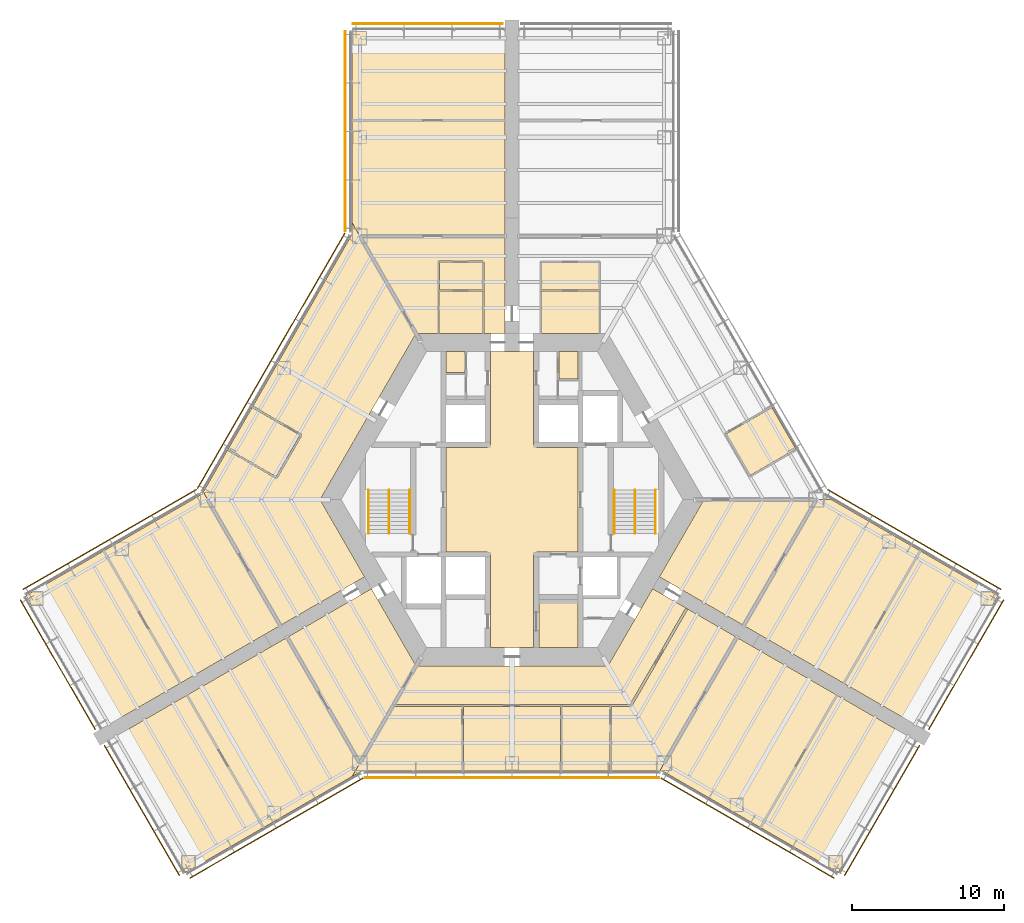
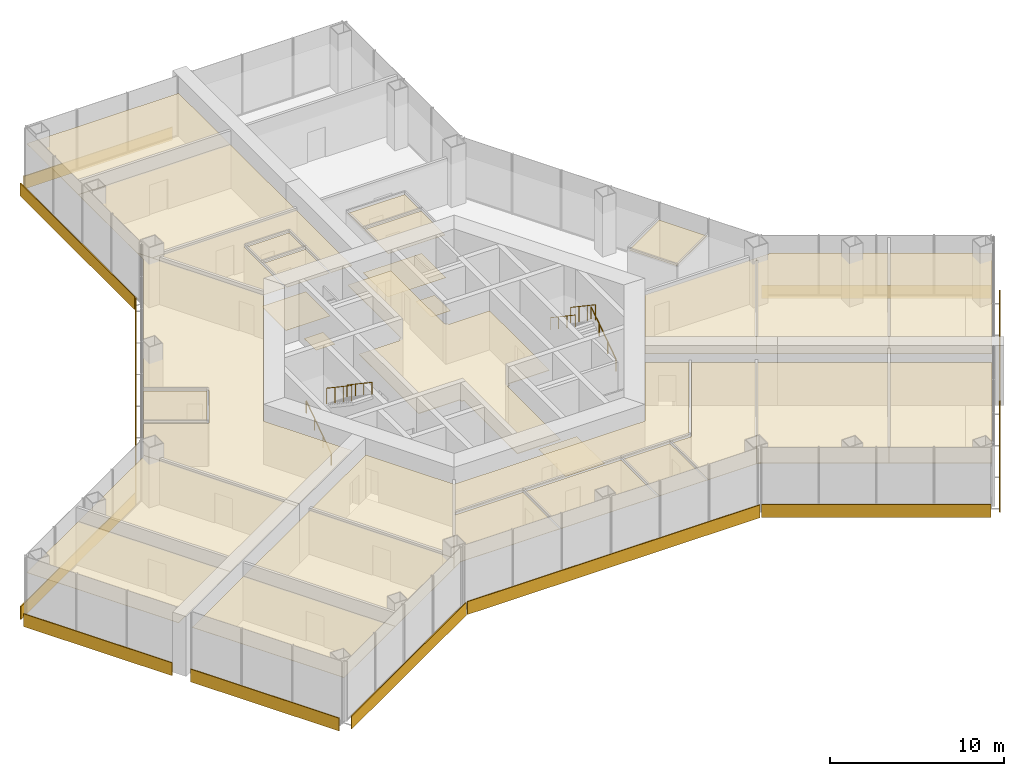
# One storey, part 15 of 16: 31 coverings, 12 shading devices, 6 railings.
"""IFC4 building model written with IfcOpenShell, lengths in metres."""

from ifc_helpers import new_model, si_unit, direction, frame, origin, origin_2d, place, context, subcontext, project, spatial, polyline, rectangle, circle, outline, extrude, material, layer, layer_set, type_object, element, save


model = new_model("IFC4")

# Units and contexts
model_context = context("Model", 3, precision=1e-05, world=origin(), true_north=direction((0.0, 1.0)))
body_context = subcontext(model_context, "Body", "Model", "MODEL_VIEW")
ifc_project = project(units=[si_unit("LENGTHUNIT", "METRE"), si_unit("AREAUNIT", "SQUARE_METRE"), si_unit("VOLUMEUNIT", "CUBIC_METRE"), si_unit("PLANEANGLEUNIT", "RADIAN"), si_unit("MASSUNIT", "GRAM", prefix="KILO")], contexts=[model_context])

# Site, building, storey
site_placement = place(None, origin())
site = spatial("IfcSite", under=ifc_project, at=site_placement, CompositionType="ELEMENT")
building_placement = place(site_placement, origin())
building = spatial("IfcBuilding", under=site, at=building_placement, Name="Kasaneha Research Tower", CompositionType="ELEMENT")
storey_placement = place(building_placement, frame((0.0, 0.0, 26.800048828125)))
storey = spatial("IfcBuildingStorey", under=building, at=storey_placement, Name="L07", CompositionType="ELEMENT", Elevation=26.800048828125)

# Coverings
ifc_material_1 = material(Name="Washable coated ceiling board", Category="gypsum")
ifc_layer_1 = layer(ifc_material_1, 0.02490234375)
ifc_layer_set_1 = layer_set([ifc_layer_1], Name="Laboratory ceiling 25")
covering_type_1 = type_object("IfcCoveringType", Name="Laboratory ceiling 25", PredefinedType="CEILING", material=ifc_layer_set_1)
covering_1_placement = place(storey_placement, frame((0.0, 0.0, 3.0)))
element("IfcCovering", 1, at=covering_1_placement, inside=storey, type_object=covering_type_1, Name="Ceiling L07-28", PredefinedType="CEILING", context=body_context, shape_type="SweptSolid", body=[
    extrude(outline(polyline([(1.949951171875, 10.925048828125), (1.949951171875, 13.675048828125), (5.70703125, 13.675048828125), (5.70703125, 10.925048828125), (1.949951171875, 10.925048828125)])), origin(), (0.0, 0.0, 1.0), 0.02490234375),
])
covering_2_placement = place(storey_placement, frame((0.0, 0.0, 3.0)))
element("IfcCovering", 2, at=covering_2_placement, inside=storey, type_object=covering_type_1, Name="Ceiling L07-29", PredefinedType="CEILING", context=body_context, shape_type="SweptSolid", body=[
    extrude(outline(polyline([(1.949951171875, 15.574951171875), (5.70703125, 15.574951171875), (5.70703125, 13.77490234375), (1.949951171875, 13.77490234375), (1.949951171875, 15.574951171875)])), origin(), (0.0, 0.0, 1.0), 0.02490234375),
])
covering_3_placement = place(storey_placement, frame((0.0, 0.0, 3.0)))
element("IfcCovering", 3, at=covering_3_placement, inside=storey, type_object=covering_type_1, Name="Ceiling L07-30", PredefinedType="CEILING", context=body_context, shape_type="SweptSolid", body=[
    extrude(outline(polyline([(18.679443359375, 3.287353515625), (18.662109375, 3.27734375), (18.63720703125, 3.320556640625), (15.66650390625, 1.605712890625), (14.093505859375, 4.33056640625), (17.072509765625, 6.050537109375), (17.047607421875, 6.09375), (17.05615234375, 6.098876953125), (18.679443359375, 3.287353515625)])), origin(), (0.0, 0.0, 1.0), 0.02490234375),
])
covering_4_placement = place(storey_placement, frame((0.0, 0.0, 3.0)))
element("IfcCovering", 4, at=covering_4_placement, inside=storey, type_object=covering_type_1, Name="Ceiling L07-34", PredefinedType="CEILING", context=body_context, shape_type="SweptSolid", body=[
    extrude(outline(polyline([(-4.778564453125, 10.925048828125), (-4.778564453125, 13.675048828125), (-1.949951171875, 13.675048828125), (-1.949951171875, 10.925048828125), (-4.778564453125, 10.925048828125)])), origin(), (0.0, 0.0, 1.0), 0.02490234375),
])
covering_5_placement = place(storey_placement, frame((0.0, 0.0, 3.0)))
element("IfcCovering", 5, at=covering_5_placement, inside=storey, type_object=covering_type_1, Name="Ceiling L07-35", PredefinedType="CEILING", context=body_context, shape_type="SweptSolid", body=[
    extrude(outline(polyline([(-4.778564453125, 15.574951171875), (-1.949951171875, 15.574951171875), (-1.949951171875, 13.77490234375), (-4.778564453125, 13.77490234375), (-4.778564453125, 15.574951171875)])), origin(), (0.0, 0.0, 1.0), 0.02490234375),
])
covering_6_placement = place(storey_placement, frame((0.0, 0.0, 3.0)))
element("IfcCovering", 6, at=covering_6_placement, inside=storey, type_object=covering_type_1, Name="Ceiling L07-36", PredefinedType="CEILING", context=body_context, shape_type="SweptSolid", body=[
    extrude(outline(polyline([(-1.85009765625, 10.925048828125), (-1.85009765625, 15.625), (-1.8994140625, 15.625), (-1.8994140625, 15.625), (-1.8994140625, 15.625), (-1.8994140625, 15.625244140625), (-1.899658203125, 15.625244140625), (-1.899658203125, 15.625244140625), (-1.899658203125, 15.625244140625), (-1.899658203125, 15.625244140625), (-1.899658203125, 15.625244140625), (-1.899658203125, 15.62548828125), (-1.899658203125, 15.62548828125), (-1.899658203125, 15.62548828125), (-1.89990234375, 15.62548828125), (-1.89990234375, 15.62548828125), (-1.89990234375, 15.62548828125), (-1.89990234375, 15.62548828125), (-1.89990234375, 15.62548828125), (-1.89990234375, 15.675048828125), (-4.82861328125, 15.675048828125), (-4.82861328125, 15.62548828125), (-4.82861328125, 15.62548828125), (-4.82861328125, 15.62548828125), (-4.82861328125, 15.62548828125), (-4.828857421875, 15.62548828125), (-4.828857421875, 15.62548828125), (-4.828857421875, 15.62548828125), (-4.828857421875, 15.62548828125), (-4.828857421875, 15.625244140625), (-4.828857421875, 15.625244140625), (-4.8291015625, 15.625244140625), (-4.8291015625, 15.625244140625), (-4.8291015625, 15.625244140625), (-4.8291015625, 15.625244140625), (-4.8291015625, 15.625), (-4.8291015625, 15.625), (-4.8291015625, 15.625), (-4.878662109375, 15.625), (-4.878662109375, 10.925048828125), (-6.3076171875, 10.925048828125), (-10.0, 17.320556640625), (-0.449951171875, 17.320556640625), (-0.449951171875, 12.72509765625), (-0.449951171875, 11.72509765625), (-0.449951171875, 10.925048828125), (-1.85009765625, 10.925048828125)])), origin(), (0.0, 0.0, 1.0), 0.02490234375),
])
covering_7_placement = place(storey_placement, frame((0.0, 0.0, 3.0)))
element("IfcCovering", 7, at=covering_7_placement, inside=storey, type_object=covering_type_1, Name="Ceiling L07-37", PredefinedType="CEILING", context=body_context, shape_type="SweptSolid", body=[
    extrude(outline(polyline([(-10.5, 24.92041015625), (-0.449951171875, 24.92041015625), (-0.449951171875, 17.320556640625), (-10.0, 17.320556640625), (-10.5, 18.1865234375), (-10.5, 24.92041015625)])), origin(), (0.0, 0.0, 1.0), 0.02490234375),
])
covering_8_placement = place(storey_placement, frame((0.0, 0.0, 3.0)))
element("IfcCovering", 8, at=covering_8_placement, inside=storey, type_object=covering_type_1, Name="Ceiling L07-38", PredefinedType="CEILING", context=body_context, shape_type="SweptSolid", body=[
    extrude(outline(polyline([(-0.449951171875, 30.820556640625), (-0.449951171875, 24.92041015625), (-10.5, 24.92041015625), (-10.5, 30.820556640625), (-0.449951171875, 30.820556640625)])), origin(), (0.0, 0.0, 1.0), 0.02490234375),
])
covering_9_placement = place(storey_placement, frame((0.0, 0.0, 3.0)))
element("IfcCovering", 9, at=covering_9_placement, inside=storey, type_object=covering_type_1, Name="Ceiling L07-39", PredefinedType="CEILING", context=body_context, shape_type="SweptSolid", body=[
    extrude(outline(polyline([(-17.05615234375, 6.098876953125), (-17.047607421875, 6.09375), (-17.072509765625, 6.050537109375), (-13.920166015625, 4.23046875), (-15.493408203125, 1.505615234375), (-18.63720703125, 3.320556640625), (-18.662109375, 3.27734375), (-18.679443359375, 3.287353515625), (-17.05615234375, 6.098876953125)])), origin(), (0.0, 0.0, 1.0), 0.02490234375),
])
covering_10_placement = place(storey_placement, frame((0.0, 0.0, 3.0)))
element("IfcCovering", 10, at=covering_10_placement, inside=storey, type_object=covering_type_1, Name="Ceiling L07-40", PredefinedType="CEILING", context=body_context, shape_type="SweptSolid", body=[
    extrude(outline(polyline([(-9.686279296875, -5.07275390625), (-15.22509765625, -8.2705078125), (-20.28857421875, 0.5), (-18.6796875, 3.286865234375), (-18.662353515625, 3.27685546875), (-18.68701171875, 3.23388671875), (-15.5, 1.39404296875), (-15.475341796875, 1.43701171875), (-15.474853515625, 1.436767578125), (-15.474853515625, 1.43701171875), (-15.431884765625, 1.412353515625), (-13.80859375, 4.223876953125), (-13.851806640625, 4.248779296875), (-13.826904296875, 4.2919921875), (-17.022705078125, 6.13720703125), (-17.04736328125, 6.09423828125), (-17.055908203125, 6.09912109375), (-10.5, 17.45458984375), (-10.5, 18.1865234375), (-6.3076171875, 10.925048828125), (-12.614990234375, 0.0), (-9.686279296875, -5.07275390625)])), origin(), (0.0, 0.0, 1.0), 0.02490234375),
])
covering_11_placement = place(storey_placement, frame((0.0, 0.0, 3.0)))
element("IfcCovering", 11, at=covering_11_placement, inside=storey, type_object=covering_type_1, Name="Ceiling L07-41", PredefinedType="CEILING", context=body_context, shape_type="SweptSolid", body=[
    extrude(outline(polyline([(-26.831787109375, -3.366943359375), (-20.365966796875, 0.365966796875), (-20.28857421875, 0.5), (-15.22509765625, -8.2705078125), (-21.806884765625, -12.070556640625), (-26.831787109375, -3.366943359375)])), origin(), (0.0, 0.0, 1.0), 0.02490234375),
])
covering_12_placement = place(storey_placement, frame((0.0, 0.0, 3.0)))
element("IfcCovering", 12, at=covering_12_placement, inside=storey, type_object=covering_type_1, Name="Ceiling L07-42", PredefinedType="CEILING", context=body_context, shape_type="SweptSolid", body=[
    extrude(outline(polyline([(-31.94140625, -6.31689453125), (-26.831787109375, -3.366943359375), (-21.806884765625, -12.070556640625), (-26.916259765625, -15.0205078125), (-31.94140625, -6.31689453125)])), origin(), (0.0, 0.0, 1.0), 0.02490234375),
])
covering_13_placement = place(storey_placement, frame((0.0, 0.0, 3.0)))
element("IfcCovering", 13, at=covering_13_placement, inside=storey, type_object=covering_type_1, Name="Ceiling L07-43", PredefinedType="CEILING", context=body_context, shape_type="SweptSolid", body=[
    extrude(outline(polyline([(-9.236328125, -5.852294921875), (-6.3076171875, -10.925048828125), (-7.765380859375, -13.449951171875), (-7.78564453125, -13.449951171875), (-7.78564453125, -13.485107421875), (-10.0, -17.320556640625), (-14.77490234375, -9.050048828125), (-9.92919921875, -6.252197265625), (-9.92919921875, -6.252197265625), (-9.236328125, -5.852294921875)])), origin(), (0.0, 0.0, 1.0), 0.02490234375),
])
covering_14_placement = place(storey_placement, frame((0.0, 0.0, 3.0)))
element("IfcCovering", 14, at=covering_14_placement, inside=storey, type_object=covering_type_1, Name="Ceiling L07-44", PredefinedType="CEILING", context=body_context, shape_type="SweptSolid", body=[
    extrude(outline(polyline([(-21.44140625, -24.50341796875), (-26.46630859375, -15.800048828125), (-21.356689453125, -12.849853515625), (-16.331787109375, -21.553466796875), (-21.44140625, -24.50341796875)])), origin(), (0.0, 0.0, 1.0), 0.02490234375),
])
covering_15_placement = place(storey_placement, frame((0.0, 0.0, 3.0)))
element("IfcCovering", 15, at=covering_15_placement, inside=storey, type_object=covering_type_1, Name="Ceiling L07-45", PredefinedType="CEILING", context=body_context, shape_type="SweptSolid", body=[
    extrude(outline(polyline([(-10.5, -18.1865234375), (-16.331787109375, -21.553466796875), (-21.356689453125, -12.849853515625), (-14.77490234375, -9.050048828125), (-10.0, -17.320556640625), (-10.5, -18.1865234375)])), origin(), (0.0, 0.0, 1.0), 0.02490234375),
])
covering_16_placement = place(storey_placement, frame((0.0, 0.0, 3.0)))
element("IfcCovering", 16, at=covering_16_placement, inside=storey, type_object=covering_type_1, Name="Ceiling L07-46", PredefinedType="CEILING", context=body_context, shape_type="SweptSolid", body=[
    extrude(outline(polyline([(11.2451171875, -5.972900390625), (10.379150390625, -5.472900390625), (9.686279296875, -5.07275390625), (12.614990234375, 0.0), (20.0, 0.0), (15.22509765625, -8.2705078125), (14.55810546875, -7.885498046875), (11.2451171875, -5.972900390625)])), origin(), (0.0, 0.0, 1.0), 0.02490234375),
])
covering_17_placement = place(storey_placement, frame((0.0, 0.0, 3.0)))
element("IfcCovering", 17, at=covering_17_placement, inside=storey, type_object=covering_type_1, Name="Ceiling L07-47", PredefinedType="CEILING", context=body_context, shape_type="SweptSolid", body=[
    extrude(outline(polyline([(26.831787109375, -3.366943359375), (31.94140625, -6.31689453125), (26.916259765625, -15.0205078125), (21.806884765625, -12.070556640625), (26.831787109375, -3.366943359375)])), origin(), (0.0, 0.0, 1.0), 0.02490234375),
])
covering_18_placement = place(storey_placement, frame((0.0, 0.0, 3.0)))
element("IfcCovering", 18, at=covering_18_placement, inside=storey, type_object=covering_type_1, Name="Ceiling L07-48", PredefinedType="CEILING", context=body_context, shape_type="SweptSolid", body=[
    extrude(outline(polyline([(20.0, 0.0), (21.0, 0.0), (26.831787109375, -3.366943359375), (21.806884765625, -12.070556640625), (15.22509765625, -8.2705078125), (20.0, 0.0)])), origin(), (0.0, 0.0, 1.0), 0.02490234375),
])
covering_19_placement = place(storey_placement, frame((0.0, 0.0, 3.0)))
element("IfcCovering", 19, at=covering_19_placement, inside=storey, type_object=covering_type_1, Name="Ceiling L07-49", PredefinedType="CEILING", context=body_context, shape_type="SweptSolid", body=[
    extrude(outline(polyline([(-6.3076171875, -10.925048828125), (6.3076171875, -10.925048828125), (9.236328125, -5.852294921875), (11.488037109375, -7.152099609375), (11.47802734375, -7.16943359375), (11.4130859375, -7.132080078125), (7.765380859375, -13.449951171875), (6.497802734375, -13.449951171875), (6.48828125, -13.449951171875), (3.2509765625, -13.449951171875), (3.241455078125, -13.449951171875), (-3.241455078125, -13.449951171875), (-3.2509765625, -13.449951171875), (-7.765380859375, -13.449951171875), (-6.3076171875, -10.925048828125)])), origin(), (0.0, 0.0, 1.0), 0.02490234375),
])
covering_20_placement = place(storey_placement, frame((0.0, 0.0, 3.0)))
element("IfcCovering", 20, at=covering_20_placement, inside=storey, type_object=covering_type_1, Name="Ceiling L07-50", PredefinedType="CEILING", context=body_context, shape_type="SweptSolid", body=[
    extrude(outline(polyline([(-10.50048828125, -18.1865234375), (-7.80908203125, -13.52490234375), (-7.78564453125, -13.52490234375), (-7.78564453125, -13.60009765625), (-3.30078125, -13.60009765625), (-3.29638671875, -17.800537109375), (-3.246337890625, -17.800537109375), (-3.246337890625, -17.820556640625), (-9.865966796875, -17.821044921875), (-10.50048828125, -18.1865234375)])), origin(), (0.0, 0.0, 1.0), 0.02490234375),
])
covering_21_placement = place(storey_placement, frame((0.0, 0.0, 3.0)))
element("IfcCovering", 21, at=covering_21_placement, inside=storey, type_object=covering_type_1, Name="Ceiling L07-51", PredefinedType="CEILING", context=body_context, shape_type="SweptSolid", body=[
    extrude(outline(polyline([(3.246337890625, -17.800537109375), (3.29638671875, -17.800537109375), (3.30078125, -13.60009765625), (6.4384765625, -13.60009765625), (6.44287109375, -17.800537109375), (6.492919921875, -17.800537109375), (6.492919921875, -17.820556640625), (3.246337890625, -17.820556640625), (3.246337890625, -17.800537109375)])), origin(), (0.0, 0.0, 1.0), 0.02490234375),
])
covering_22_placement = place(storey_placement, frame((0.0, 0.0, 3.0)))
element("IfcCovering", 22, at=covering_22_placement, inside=storey, type_object=covering_type_1, Name="Ceiling L07-52", PredefinedType="CEILING", context=body_context, shape_type="SweptSolid", body=[
    extrude(outline(polyline([(7.80908203125, -13.525390625), (7.80908203125, -13.525146484375), (7.87353515625, -13.5625), (11.54296875, -7.20703125), (11.478515625, -7.169677734375), (11.488525390625, -7.15234375), (12.860107421875, -7.9443359375), (14.77490234375, -9.050048828125), (9.71142578125, -17.820556640625), (6.493408203125, -17.820556640625), (6.493408203125, -17.800537109375), (6.542724609375, -17.800537109375), (6.538330078125, -13.60009765625), (7.80859375, -13.60009765625), (7.80859375, -13.525390625), (7.80908203125, -13.525390625)])), origin(), (0.0, 0.0, 1.0), 0.02490234375),
])
covering_23_placement = place(storey_placement, frame((0.0, 0.0, 3.0)))
element("IfcCovering", 23, at=covering_23_placement, inside=storey, type_object=covering_type_1, Name="Ceiling L07-53", PredefinedType="CEILING", context=body_context, shape_type="SweptSolid", body=[
    extrude(outline(polyline([(3.245849609375, -17.820556640625), (-3.245849609375, -17.820556640625), (-3.245849609375, -17.800537109375), (-3.1962890625, -17.800537109375), (-3.200927734375, -13.60009765625), (3.200927734375, -13.60009765625), (3.1962890625, -17.800537109375), (3.245849609375, -17.800537109375), (3.245849609375, -17.820556640625)])), origin(), (0.0, 0.0, 1.0), 0.02490234375),
])
covering_24_placement = place(storey_placement, frame((0.0, 0.0, 3.0)))
element("IfcCovering", 24, at=covering_24_placement, inside=storey, type_object=covering_type_1, Name="Ceiling L07-54", PredefinedType="CEILING", context=body_context, shape_type="SweptSolid", body=[
    extrude(outline(polyline([(14.77490234375, -9.050048828125), (21.356689453125, -12.849853515625), (16.331787109375, -21.553466796875), (9.865966796875, -17.820556640625), (9.71142578125, -17.820556640625), (14.77490234375, -9.050048828125)])), origin(), (0.0, 0.0, 1.0), 0.02490234375),
])
covering_25_placement = place(storey_placement, frame((0.0, 0.0, 3.0)))
element("IfcCovering", 25, at=covering_25_placement, inside=storey, type_object=covering_type_1, Name="Ceiling L07-55", PredefinedType="CEILING", context=body_context, shape_type="SweptSolid", body=[
    extrude(outline(polyline([(21.44140625, -24.50341796875), (16.331787109375, -21.553466796875), (21.356689453125, -12.849853515625), (26.46630859375, -15.800048828125), (21.44140625, -24.50341796875)])), origin(), (0.0, 0.0, 1.0), 0.02490234375),
])
ifc_material_2 = material(Name="Aluminium panel ceiling", Category="aluminium")
ifc_layer_2 = layer(ifc_material_2, 0.0400390625)
ifc_layer_set_2 = layer_set([ifc_layer_2], Name="Lift lobby ceiling 40")
covering_type_2 = type_object("IfcCoveringType", Name="Lift lobby ceiling 40", PredefinedType="CEILING", material=ifc_layer_set_2)
covering_26_placement = place(storey_placement, frame((0.0, 0.0, 2.699951171875)))
element("IfcCovering", 26, at=covering_26_placement, inside=storey, type_object=covering_type_2, Name="Ceiling L07-01", PredefinedType="CEILING", context=body_context, shape_type="SweptSolid", body=[
    extrude(outline(polyline([(1.425048828125, 9.72509765625), (1.425048828125, 3.60009765625), (1.60009765625, 3.60009765625), (1.60009765625, 3.425048828125), (4.324951171875, 3.425048828125), (4.324951171875, -3.425048828125), (1.60009765625, -3.425048828125), (1.60009765625, -3.60009765625), (1.425048828125, -3.60009765625), (1.425048828125, -9.72509765625), (-1.425048828125, -9.72509765625), (-1.425048828125, -3.60009765625), (-1.60009765625, -3.60009765625), (-1.60009765625, -3.425048828125), (-4.324951171875, -3.425048828125), (-4.324951171875, 3.425048828125), (-1.60009765625, 3.425048828125), (-1.60009765625, 3.60009765625), (-1.425048828125, 3.60009765625), (-1.425048828125, 9.72509765625), (1.425048828125, 9.72509765625)])), origin(), (0.0, 0.0, 1.0), 0.0400390625),
])

# Railings
ifc_material_3 = material(Name="Steel", Category="steel")
railing_type_1 = type_object("IfcRailingType", Name="Stair balustrade 1100", PredefinedType="GUARDRAIL", material=ifc_material_3)
for number, where, name in (
    (27, (8.074951171875, 0.635009765625, 2.27490234375), "Stair 1 balustrade L07"),
    (28, (-8.074951171875, 0.635009765625, 2.27490234375), "Stair 2 balustrade L07"),
):
    element("IfcRailing", number, at=place(storey_placement, frame(where)), inside=storey, type_object=railing_type_1, Name=name, PredefinedType="GUARDRAIL", context=body_context, shape_type="SweptSolid", body=[
        extrude(circle(Radius=0.02392578125, at=origin_2d()), frame((0.0, 0.0, 1.076171875), z_axis=(0.0, -0.829590901723, 0.558371682465), x_axis=(1.0, 0.0, 0.0)), (0.0, 0.0, 1.0), 3.447509765625),
        extrude(circle(Radius=0.02099609375, at=origin_2d()), origin(), (0.0, 0.0, 1.0), 1.052001953125),
        extrude(circle(Radius=0.02099609375, at=origin_2d()), frame((0.0, -0.953369140625, 0.6416015625)), (0.0, 0.0, 1.0), 1.052001953125),
        extrude(circle(Radius=0.02099609375, at=origin_2d()), frame((0.0, -1.90673828125, 1.283447265625)), (0.0, 0.0, 1.0), 1.052001953125),
        extrude(circle(Radius=0.02099609375, at=origin_2d()), frame((0.0, -2.860107421875, 1.925048828125)), (0.0, 0.0, 1.0), 1.052001953125),
    ])
ifc_material_4 = material(Name="Steel", Category="steel")
railing_type_2 = type_object("IfcRailingType", Name="Stair handrail 850", PredefinedType="HANDRAIL", material=ifc_material_4)
railing_1_placement = place(storey_placement, frame((9.425048828125, -2.22509765625, 0.175048828125)))
element("IfcRailing", 29, at=railing_1_placement, inside=storey, type_object=railing_type_2, Name="Stair 1 handrail L07", PredefinedType="HANDRAIL", context=body_context, shape_type="SweptSolid", body=[
    extrude(circle(Radius=0.02392578125, at=origin_2d()), frame((0.0, 0.0, 0.826171875), z_axis=(0.0, 0.829623704247, 0.558322943601), x_axis=(-1.0, 0.0, 0.0)), (0.0, 0.0, 1.0), 3.447509765625),
    extrude(circle(Radius=0.02099609375, at=origin_2d()), origin(), (0.0, 0.0, 1.0), 0.802001953125),
    extrude(circle(Radius=0.02099609375, at=origin_2d()), frame((0.0, 0.953369140625, 0.6416015625)), (0.0, 0.0, 1.0), 0.802001953125),
    extrude(circle(Radius=0.02099609375, at=origin_2d()), frame((0.0, 1.90673828125, 1.283203125)), (0.0, 0.0, 1.0), 0.802001953125),
    extrude(circle(Radius=0.02099609375, at=origin_2d()), frame((0.0, 2.860107421875, 1.9248046875)), (0.0, 0.0, 1.0), 0.802001953125),
])
railing_2_placement = place(storey_placement, frame((6.72509765625, 0.635009765625, 2.27490234375)))
element("IfcRailing", 30, at=railing_2_placement, inside=storey, type_object=railing_type_2, Name="Stair 1 handrail L07", PredefinedType="HANDRAIL", context=body_context, shape_type="SweptSolid", body=[
    extrude(circle(Radius=0.02392578125, at=origin_2d()), frame((0.0, 0.0, 0.826171875), z_axis=(0.0, -0.829590901723, 0.558371682465), x_axis=(1.0, 0.0, 0.0)), (0.0, 0.0, 1.0), 3.447509765625),
    extrude(circle(Radius=0.02099609375, at=origin_2d()), origin(), (0.0, 0.0, 1.0), 0.802001953125),
    extrude(circle(Radius=0.02099609375, at=origin_2d()), frame((0.0, -0.953369140625, 0.6416015625)), (0.0, 0.0, 1.0), 0.802001953125),
    extrude(circle(Radius=0.02099609375, at=origin_2d()), frame((0.0, -1.90673828125, 1.283447265625)), (0.0, 0.0, 1.0), 0.802001953125),
    extrude(circle(Radius=0.02099609375, at=origin_2d()), frame((0.0, -2.860107421875, 1.925048828125)), (0.0, 0.0, 1.0), 0.802001953125),
])
railing_3_placement = place(storey_placement, frame((-9.425048828125, -2.22509765625, 0.175048828125)))
element("IfcRailing", 31, at=railing_3_placement, inside=storey, type_object=railing_type_2, Name="Stair 2 handrail L07", PredefinedType="HANDRAIL", context=body_context, shape_type="SweptSolid", body=[
    extrude(circle(Radius=0.02392578125, at=origin_2d()), frame((0.0, 0.0, 0.826171875), z_axis=(0.0, 0.829623704247, 0.558322943601), x_axis=(-1.0, 0.0, 0.0)), (0.0, 0.0, 1.0), 3.447509765625),
    extrude(circle(Radius=0.02099609375, at=origin_2d()), origin(), (0.0, 0.0, 1.0), 0.802001953125),
    extrude(circle(Radius=0.02099609375, at=origin_2d()), frame((0.0, 0.953369140625, 0.6416015625)), (0.0, 0.0, 1.0), 0.802001953125),
    extrude(circle(Radius=0.02099609375, at=origin_2d()), frame((0.0, 1.90673828125, 1.283203125)), (0.0, 0.0, 1.0), 0.802001953125),
    extrude(circle(Radius=0.02099609375, at=origin_2d()), frame((0.0, 2.860107421875, 1.9248046875)), (0.0, 0.0, 1.0), 0.802001953125),
])
railing_4_placement = place(storey_placement, frame((-6.72509765625, 0.635009765625, 2.27490234375)))
element("IfcRailing", 32, at=railing_4_placement, inside=storey, type_object=railing_type_2, Name="Stair 2 handrail L07", PredefinedType="HANDRAIL", context=body_context, shape_type="SweptSolid", body=[
    extrude(circle(Radius=0.02392578125, at=origin_2d()), frame((0.0, 0.0, 0.826171875), z_axis=(0.0, -0.829590901723, 0.558371682465), x_axis=(1.0, 0.0, 0.0)), (0.0, 0.0, 1.0), 3.447509765625),
    extrude(circle(Radius=0.02099609375, at=origin_2d()), origin(), (0.0, 0.0, 1.0), 0.802001953125),
    extrude(circle(Radius=0.02099609375, at=origin_2d()), frame((0.0, -0.953369140625, 0.6416015625)), (0.0, 0.0, 1.0), 0.802001953125),
    extrude(circle(Radius=0.02099609375, at=origin_2d()), frame((0.0, -1.90673828125, 1.283447265625)), (0.0, 0.0, 1.0), 0.802001953125),
    extrude(circle(Radius=0.02099609375, at=origin_2d()), frame((0.0, -2.860107421875, 1.925048828125)), (0.0, 0.0, 1.0), 0.802001953125),
])

# Shading devices
ifc_material_5 = material(Name="Terracotta", Category="masonry")
ifc_layer_3 = layer(ifc_material_5, 0.06005859375)
ifc_layer_set_3 = layer_set([ifc_layer_3], Name="Terracotta baguette screen")
shading_device_type = type_object("IfcShadingDeviceType", Name="Terracotta baguette screen", PredefinedType="USERDEFINED", material=ifc_layer_set_3)
shading_device_1_placement = place(storey_placement, frame((-15.483642578125, -21.58349609375, -0.449951171875), z_axis=(0.0, 0.0, 1.0), x_axis=(0.866025411464, 0.499999986699, 0.0)))
element("IfcShadingDevice", 33, at=shading_device_1_placement, inside=storey, type_object=shading_device_type, Name="Baguette screen L07 01", ObjectType="TERRACOTTA BAGUETTE SCREEN", PredefinedType="USERDEFINED", context=body_context, shape_type="SweptSolid", body=[
    extrude(rectangle(XDim=13.13916015625, YDim=0.06005859375, at=origin_2d()), origin(), (0.0, 0.0, 1.0), 0.89990234375),
])
shading_device_2_placement = place(storey_placement, frame((0.0, -18.2705078125, -0.449951171875), z_axis=(0.0, 0.0, 1.0), x_axis=(1.0, 0.0, 0.0)))
element("IfcShadingDevice", 34, at=shading_device_2_placement, inside=storey, type_object=shading_device_type, Name="Baguette screen L07 02", ObjectType="TERRACOTTA BAGUETTE SCREEN", PredefinedType="USERDEFINED", context=body_context, shape_type="SweptSolid", body=[
    extrude(rectangle(XDim=19.37841796875, YDim=0.06005859375, at=origin_2d()), origin(), (0.0, 0.0, 1.0), 0.89990234375),
])
shading_device_3_placement = place(storey_placement, frame((15.483642578125, -21.58349609375, -0.449951171875), z_axis=(0.0, 0.0, 1.0), x_axis=(0.866025411464, -0.499999986699, 0.0)))
element("IfcShadingDevice", 35, at=shading_device_3_placement, inside=storey, type_object=shading_device_type, Name="Baguette screen L07 03", ObjectType="TERRACOTTA BAGUETTE SCREEN", PredefinedType="USERDEFINED", context=body_context, shape_type="SweptSolid", body=[
    extrude(rectangle(XDim=13.13916015625, YDim=0.06005859375, at=origin_2d()), origin(), (0.0, 0.0, 1.0), 0.89990234375),
])
for number, where, z_axis, x_axis, name in (
    (36, (24.318603515625, -20.420166015625, -0.449951171875), (0.0, 0.0, 1.0), (0.500000011442, 0.866025397178, 0.0), "Baguette screen L07 04"),
    (37, (29.843505859375, -10.850341796875, -0.449951171875), (0.0, 0.0, 1.0), (0.500000011442, 0.866025397178, 0.0), "Baguette screen L07 05"),
):
    element("IfcShadingDevice", number, at=place(storey_placement, frame(where, z_axis=z_axis, x_axis=x_axis)), inside=storey, type_object=shading_device_type, Name=name, ObjectType="TERRACOTTA BAGUETTE SCREEN", PredefinedType="USERDEFINED", context=body_context, shape_type="SweptSolid", body=[
        extrude(rectangle(XDim=9.85009765625, YDim=0.06005859375, at=origin_2d()), origin(), (0.0, 0.0, 1.0), 0.89990234375),
    ])
shading_device_4_placement = place(storey_placement, frame((26.43359375, -2.617431640625, -0.449951171875), z_axis=(0.0, 0.0, 1.0), x_axis=(-0.866025411464, 0.499999986699, 0.0)))
element("IfcShadingDevice", 38, at=shading_device_4_placement, inside=storey, type_object=shading_device_type, Name="Baguette screen L07 06", ObjectType="TERRACOTTA BAGUETTE SCREEN", PredefinedType="USERDEFINED", context=body_context, shape_type="SweptSolid", body=[
    extrude(rectangle(XDim=13.13916015625, YDim=0.06005859375, at=origin_2d()), origin(), (0.0, 0.0, 1.0), 0.89990234375),
])
shading_device_5_placement = place(storey_placement, frame((-5.52490234375, 31.2705078125, -0.449951171875), z_axis=(0.0, 0.0, 1.0), x_axis=(-1.0, 0.0, 0.0)))
element("IfcShadingDevice", 39, at=shading_device_5_placement, inside=storey, type_object=shading_device_type, Name="Baguette screen L07 10", ObjectType="TERRACOTTA BAGUETTE SCREEN", PredefinedType="USERDEFINED", context=body_context, shape_type="SweptSolid", body=[
    extrude(rectangle(XDim=9.85009765625, YDim=0.06005859375, at=origin_2d()), origin(), (0.0, 0.0, 1.0), 0.89990234375),
])
shading_device_6_placement = place(storey_placement, frame((-10.949951171875, 24.200927734375, -0.449951171875), z_axis=(0.0, 0.0, 1.0), x_axis=(0.0, -1.0, 0.0)))
element("IfcShadingDevice", 40, at=shading_device_6_placement, inside=storey, type_object=shading_device_type, Name="Baguette screen L07 11", ObjectType="TERRACOTTA BAGUETTE SCREEN", PredefinedType="USERDEFINED", context=body_context, shape_type="SweptSolid", body=[
    extrude(rectangle(XDim=13.13916015625, YDim=0.06005859375, at=origin_2d()), origin(), (0.0, 0.0, 1.0), 0.89990234375),
])
shading_device_7_placement = place(storey_placement, frame((-15.82275390625, 9.13525390625, -0.449951171875), z_axis=(0.0, 0.0, 1.0), x_axis=(-0.49999996188, -0.866025425793, 0.0)))
element("IfcShadingDevice", 41, at=shading_device_7_placement, inside=storey, type_object=shading_device_type, Name="Baguette screen L07 12", ObjectType="TERRACOTTA BAGUETTE SCREEN", PredefinedType="USERDEFINED", context=body_context, shape_type="SweptSolid", body=[
    extrude(rectangle(XDim=19.37841796875, YDim=0.06005859375, at=origin_2d()), origin(), (0.0, 0.0, 1.0), 0.89990234375),
])
shading_device_8_placement = place(storey_placement, frame((-26.43359375, -2.617431640625, -0.449951171875), z_axis=(0.0, 0.0, 1.0), x_axis=(-0.866025411464, -0.499999986699, 0.0)))
element("IfcShadingDevice", 42, at=shading_device_8_placement, inside=storey, type_object=shading_device_type, Name="Baguette screen L07 13", ObjectType="TERRACOTTA BAGUETTE SCREEN", PredefinedType="USERDEFINED", context=body_context, shape_type="SweptSolid", body=[
    extrude(rectangle(XDim=13.13916015625, YDim=0.06005859375, at=origin_2d()), origin(), (0.0, 0.0, 1.0), 0.89990234375),
])
for number, where, z_axis, x_axis, name in (
    (43, (-29.843505859375, -10.850341796875, -0.449951171875), (0.0, 0.0, 1.0), (0.500000011442, -0.866025397178, 0.0), "Baguette screen L07 14"),
    (44, (-24.318603515625, -20.420166015625, -0.449951171875), (0.0, 0.0, 1.0), (0.500000011442, -0.866025397178, 0.0), "Baguette screen L07 15"),
):
    element("IfcShadingDevice", number, at=place(storey_placement, frame(where, z_axis=z_axis, x_axis=x_axis)), inside=storey, type_object=shading_device_type, Name=name, ObjectType="TERRACOTTA BAGUETTE SCREEN", PredefinedType="USERDEFINED", context=body_context, shape_type="SweptSolid", body=[
        extrude(rectangle(XDim=9.85009765625, YDim=0.06005859375, at=origin_2d()), origin(), (0.0, 0.0, 1.0), 0.89990234375),
    ])

# Coverings
ifc_material_6 = material(Name="Vinyl sheet flooring", Category="plastic")
ifc_layer_4 = layer(ifc_material_6, 0.0048828125)
ifc_layer_set_4 = layer_set([ifc_layer_4], Name="Wet room sheet flooring 5")
covering_type_3 = type_object("IfcCoveringType", Name="Wet room sheet flooring 5", PredefinedType="FLOORING", material=ifc_layer_set_4)
covering_27_placement = place(storey_placement, origin())
element("IfcCovering", 45, at=covering_27_placement, inside=storey, type_object=covering_type_3, Name="Floor finish L07-07", PredefinedType="FLOORING", context=body_context, shape_type="SweptSolid", body=[
    extrude(outline(polyline([(-4.324951171875, 8.35498046875), (-4.324951171875, 9.72509765625), (-3.074951171875, 9.72509765625), (-3.074951171875, 8.35498046875), (-4.324951171875, 8.35498046875)])), origin(), (0.0, 0.0, 1.0), 0.0048828125),
])
covering_28_placement = place(storey_placement, origin())
element("IfcCovering", 46, at=covering_28_placement, inside=storey, type_object=covering_type_3, Name="Floor finish L07-10", PredefinedType="FLOORING", context=body_context, shape_type="SweptSolid", body=[
    extrude(outline(polyline([(4.324951171875, 7.925048828125), (3.074951171875, 7.925048828125), (3.074951171875, 9.72509765625), (4.324951171875, 9.72509765625), (4.324951171875, 7.925048828125)])), origin(), (0.0, 0.0, 1.0), 0.0048828125),
])
covering_29_placement = place(storey_placement, origin())
element("IfcCovering", 47, at=covering_29_placement, inside=storey, type_object=covering_type_3, Name="Floor finish L07-13", PredefinedType="FLOORING", context=body_context, shape_type="SweptSolid", body=[
    extrude(outline(polyline([(1.77490234375, -9.72509765625), (1.77490234375, -6.574951171875), (4.324951171875, -6.574951171875), (4.324951171875, -9.72509765625), (1.77490234375, -9.72509765625)])), origin(), (0.0, 0.0, 1.0), 0.0048828125),
])
covering_30_placement = place(storey_placement, origin())
element("IfcCovering", 48, at=covering_30_placement, inside=storey, type_object=covering_type_3, Name="Floor finish L07-28", PredefinedType="FLOORING", context=body_context, shape_type="SweptSolid", body=[
    extrude(outline(polyline([(1.89990234375, 13.72509765625), (5.757080078125, 13.72509765625), (5.757080078125, 10.925048828125), (1.89990234375, 10.925048828125), (1.89990234375, 13.72509765625)])), origin(), (0.0, 0.0, 1.0), 0.0048828125),
])
covering_31_placement = place(storey_placement, origin())
element("IfcCovering", 49, at=covering_31_placement, inside=storey, type_object=covering_type_3, Name="Floor finish L07-34", PredefinedType="FLOORING", context=body_context, shape_type="SweptSolid", body=[
    extrude(outline(polyline([(-4.82861328125, 10.925048828125), (-4.82861328125, 13.72509765625), (-1.89990234375, 13.72509765625), (-1.89990234375, 10.925048828125), (-4.82861328125, 10.925048828125)])), origin(), (0.0, 0.0, 1.0), 0.0048828125),
])

save(model, "model.ifc")
